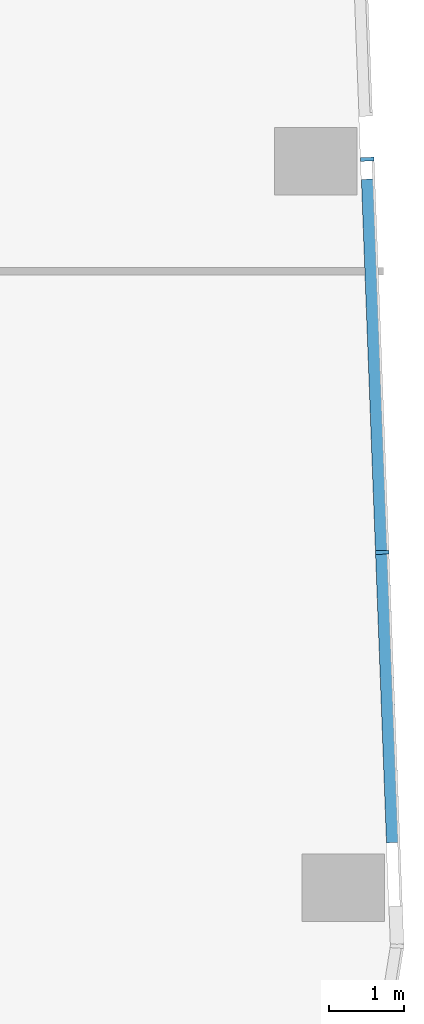
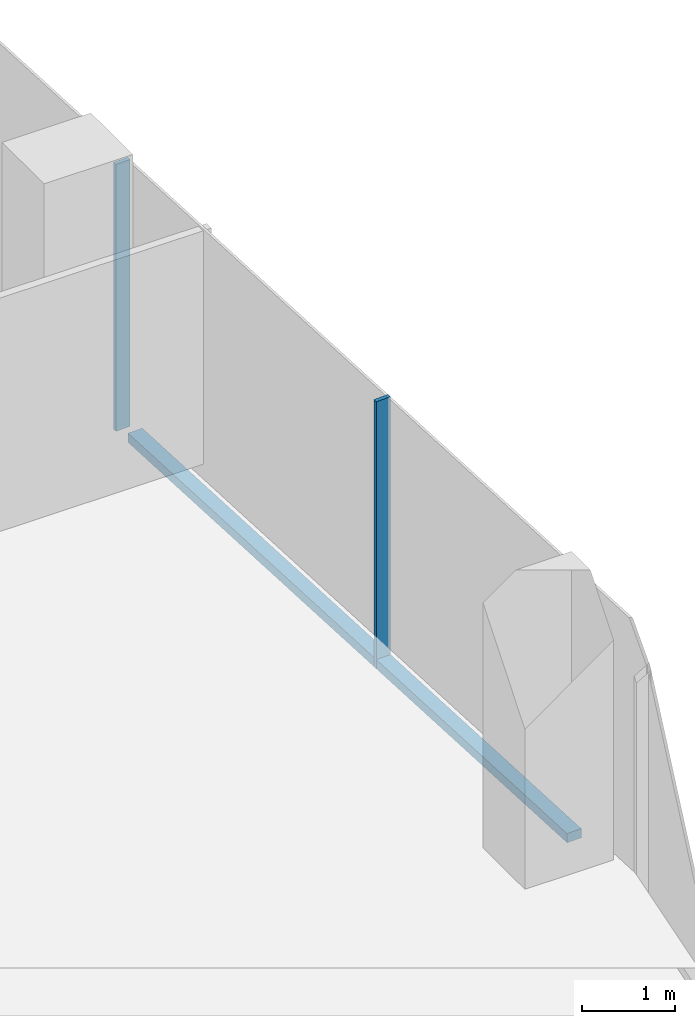
# One storey, part 9 of 24: 3 members, 1 element without a shape of its own.
"""IFC4 building model written with IfcOpenShell, lengths in metres."""

from ifc_helpers import new_model, si_unit, direction, frame, origin, origin_2d, place, context, subcontext, project, spatial, rectangle, extrude, material, material_profile, profile_set, type_object, element, aggregate, save


model = new_model("IFC4")

# Units and contexts
model_context = context("Model", 3, precision=1e-05, world=origin(), true_north=direction((0.0, 1.0)))
body_context = subcontext(model_context, "Body", "Model", "MODEL_VIEW")
ifc_project = project(units=[si_unit("LENGTHUNIT", "METRE"), si_unit("AREAUNIT", "SQUARE_METRE"), si_unit("VOLUMEUNIT", "CUBIC_METRE"), si_unit("PLANEANGLEUNIT", "RADIAN"), si_unit("MASSUNIT", "GRAM", prefix="KILO")], contexts=[model_context])

# Site, building, storey
site_placement = place(None, origin())
site = spatial("IfcSite", under=ifc_project, at=site_placement, CompositionType="ELEMENT")
building_placement = place(site_placement, origin())
building = spatial("IfcBuilding", under=site, at=building_placement, Name="Orlundy Tower", CompositionType="ELEMENT")
storey_placement = place(building_placement, frame((0.0, 0.0, 174.10009765625)))
storey = spatial("IfcBuildingStorey", under=building, at=storey_placement, Name="L45", CompositionType="ELEMENT", Elevation=174.10009765625)

# Curtain wall, members
ifc_material_1 = material(Name="Aluminium bronze anodised", Category="aluminium")
curtain_wall_type = type_object("IfcCurtainWallType", Name="CW1 wall", PredefinedType="NOTDEFINED", material=ifc_material_1)
curtain_wall_placement = place(storey_placement, origin())
curtain_wall = element("IfcCurtainWall", 1, at=curtain_wall_placement, inside=storey, type_object=curtain_wall_type, Name="CW1 run 011", PredefinedType="NOTDEFINED")
ifc_material_2 = material(Name="Aluminium bronze anodised", Category="aluminium")
ifc_material_profile_1 = material_profile(ifc_material_2, rectangle(XDim=0.179931640625, YDim=0.050048828125, at=origin_2d()), Name="CW1 mullion 50x180")
ifc_profile_set_1 = profile_set([ifc_material_profile_1], Name="Aluminium bronze anodised")
member_type_1 = type_object("IfcMemberType", Name="CW1 mullion 50x180", PredefinedType="MULLION", material=ifc_profile_set_1)
member_1_placement = place(storey_placement, frame((39.56201171875, 1.496826171875, -0.420166015625), z_axis=(0.0, 0.0, 1.0), x_axis=(0.999284965389, 0.03780949547, 0.0)))
member_1 = element("IfcMember", 2, at=member_1_placement, type_object=member_type_1, Name="CW1 mullion 34", PredefinedType="MULLION", context=body_context, shape_type="SweptSolid", body=[
    extrude(rectangle(XDim=0.179931640625, YDim=0.050048828125, at=origin_2d()), origin(), (0.0, 0.0, 1.0), 3.5),
])
member_2_placement = place(storey_placement, frame((39.760498046875, -3.749267578125, -0.420166015625), z_axis=(0.0, 0.0, 1.0), x_axis=(0.999284965389, 0.03780949547, 0.0)))
member_2 = element("IfcMember", 3, at=member_2_placement, type_object=member_type_1, Name="CW1 mullion 35", PredefinedType="MULLION", context=body_context, shape_type="SweptSolid", body=[
    extrude(rectangle(XDim=0.179931640625, YDim=0.050048828125, at=origin_2d()), origin(), (0.0, 0.0, 1.0), 3.5),
])
ifc_material_3 = material(Name="Aluminium bronze anodised", Category="aluminium")
ifc_material_profile_2 = material_profile(ifc_material_3, rectangle(XDim=0.179931640625, YDim=0.1201171875, at=origin_2d()), Name="CW1 transom 180x120")
ifc_profile_set_2 = profile_set([ifc_material_profile_2], Name="Aluminium bronze anodised")
member_type_2 = type_object("IfcMemberType", Name="CW1 transom 180x120", PredefinedType="USERDEFINED", material=ifc_profile_set_2)
member_3_placement = place(storey_placement, frame((39.572021484375, 1.23095703125, -0.360107421875), z_axis=(0.037808698194, -0.999284995555, 0.0), x_axis=(0.999284995555, 0.037808698194, 0.0)))
member_3 = element("IfcMember", 4, at=member_3_placement, type_object=member_type_2, Name="CW1 transom", ObjectType="TRANSOM", PredefinedType="USERDEFINED", context=body_context, shape_type="SweptSolid", body=[
    extrude(rectangle(XDim=0.179931640625, YDim=0.1201171875, at=origin_2d()), origin(), (0.0, 0.0, 1.0), 8.859375),
])
aggregate(curtain_wall, [member_1, member_2, member_3])

save(model, "model.ifc")
